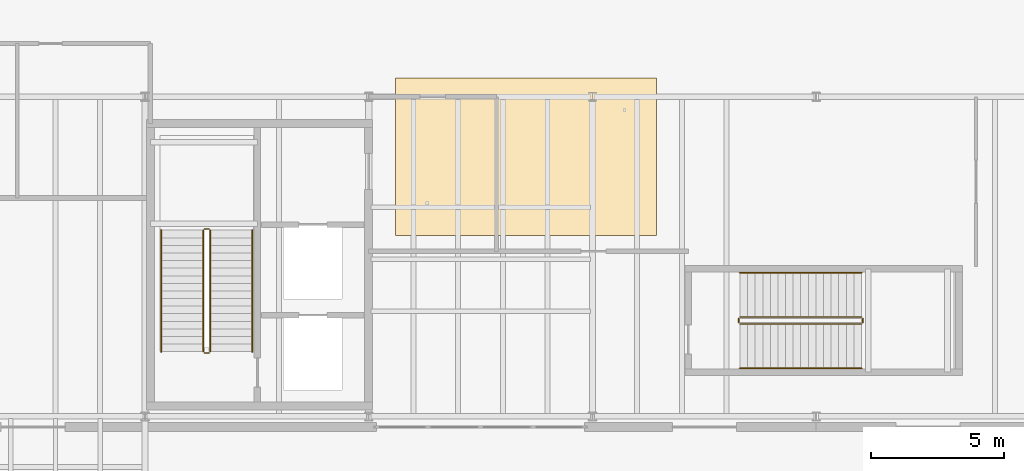
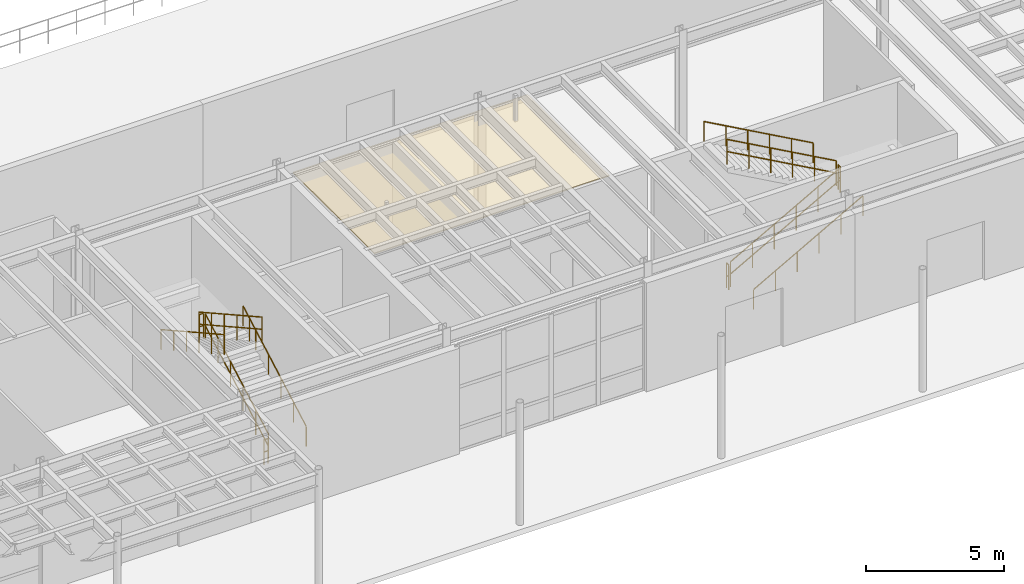
# One storey, part 82 of 87: 12 railings, 1 covering.
"""IFC4 building model written with IfcOpenShell, lengths in metres."""

import ifcopenshell
import ifcopenshell.guid

model = None  # the IFC model being written
_history = None  # IfcOwnerHistory: only IFC2X3 demands one
_inside = {}  # id of a spatial element -> (the spatial element, [elements in it])
_under = {}  # id of a project, library or spatial element -> (it, [spatial elements below it])
_declared = {}  # id of a project -> (the project, [libraries it declares])
_typed = {}  # id of a type object -> (the type object, [elements of that type])
_made_of = {}  # id of a material, layer set ... -> (it, [elements and type objects made of it])


def new_model(schema):
    """Start an empty IFC model of exactly this schema.

    Asked for "IFC4X3", IfcOpenShell would pick the latest addendum, in which some entities
    have other attributes; the version numbers below select the first issue.
    IFC2X3 requires an IfcOwnerHistory on every rooted entity: one is made here for all.
    """
    global model, _history
    if schema == "IFC4X3":
        model = ifcopenshell.file(schema_version=(4, 3, 0, 0))
    else:
        model = ifcopenshell.file(schema=schema)
    _inside.clear()
    _under.clear()
    _declared.clear()
    _typed.clear()
    _made_of.clear()
    _history = None
    if model.schema == "IFC2X3":
        org = make("IfcOrganization", Name="unknown")
        user = make(
            "IfcPersonAndOrganization",
            ThePerson=make("IfcPerson", FamilyName="unknown"),
            TheOrganization=org,
        )
        app = make(
            "IfcApplication",
            ApplicationDeveloper=org,
            Version="unknown",
            ApplicationFullName="unknown",
            ApplicationIdentifier="unknown",
        )
        _history = make(
            "IfcOwnerHistory",
            OwningUser=user,
            OwningApplication=app,
            ChangeAction="ADDED",
            CreationDate=0,
        )
    return model


def make(cls, **values):
    """One entity of the class cls with the attributes given. An attribute that is None is left unset."""
    return model.create_entity(
        cls, **{name: value for name, value in values.items() if value is not None}
    )


def rooted(cls, **values):
    """An entity with a GlobalId (a new one), such as an element, a storey or a relation."""
    return make(cls, GlobalId=ifcopenshell.guid.new(), OwnerHistory=_history, **values)


def si_unit(unit_type, name, prefix=None):
    """IfcSIUnit, for example si_unit("LENGTHUNIT", "METRE", prefix="MILLI")."""
    return make("IfcSIUnit", UnitType=unit_type, Prefix=prefix, Name=name)


def assignment(units):
    """IfcUnitAssignment: the units of a project."""
    return None if units is None else make("IfcUnitAssignment", Units=units)


def point(xyz):
    """IfcCartesianPoint."""
    return None if xyz is None else make("IfcCartesianPoint", Coordinates=xyz)


def direction(xyz):
    """IfcDirection."""
    return None if xyz is None else make("IfcDirection", DirectionRatios=xyz)


def frame(location, z_axis=None, x_axis=None):
    """IfcAxis2Placement3D, a coordinate frame: its origin and axes. An axis left out is left unset."""
    return make(
        "IfcAxis2Placement3D",
        Location=point(location),
        Axis=direction(z_axis),
        RefDirection=direction(x_axis),
    )


def frame_2d(location, x_axis=None):
    """IfcAxis2Placement2D, a coordinate frame in the plane: its origin and x axis."""
    return make(
        "IfcAxis2Placement2D", Location=point(location), RefDirection=direction(x_axis)
    )


def origin():
    """The frame at (0, 0, 0) with its axes left unset."""
    return frame((0.0, 0.0, 0.0))


def origin_2d():
    """The frame at (0, 0) in the plane with its x axis left unset."""
    return frame_2d((0.0, 0.0))


def place(relative_to, where):
    """IfcLocalPlacement: puts the frame where relative to a parent placement (None: the world)."""
    return make(
        "IfcLocalPlacement", PlacementRelTo=relative_to, RelativePlacement=where
    )


def context(
    kind, dimensions, precision=None, world=None, true_north=None, identifier=None
):
    """IfcGeometricRepresentationContext, for example the 3D "Model" context."""
    return make(
        "IfcGeometricRepresentationContext",
        ContextIdentifier=identifier,
        ContextType=kind,
        CoordinateSpaceDimension=dimensions,
        Precision=precision,
        WorldCoordinateSystem=world,
        TrueNorth=true_north,
    )


def subcontext(parent, identifier, kind, view, scale=None):
    """IfcGeometricRepresentationSubContext, for example "Body" below "Model"."""
    return make(
        "IfcGeometricRepresentationSubContext",
        ContextIdentifier=identifier,
        ContextType=kind,
        ParentContext=parent,
        TargetScale=scale,
        TargetView=view,
    )


def project(units=None, contexts=None):
    """IfcProject with its units and contexts."""
    return rooted(
        "IfcProject",
        Name="project",
        RepresentationContexts=contexts,
        UnitsInContext=assignment(units),
    )


def spatial(cls, under=None, at=None, **own):
    """A site, building, storey or space (cls), placed at a placement, below another one or the project."""
    s = rooted(cls, ObjectPlacement=at, **own)
    if under is not None:
        _under.setdefault(under.id(), (under, []))[1].append(s)
    return s


def polyline(points):
    """IfcPolyline through the points."""
    return make("IfcPolyline", Points=[point(p) for p in points])


def profile(cls, at=None, kind="AREA", **sizes):
    """A parametric profile (cls). Its sizes go by their IFC names, for example OverallWidth=200.0."""
    return make(cls, ProfileType=kind, Position=at, **sizes)


def circle(**sizes):
    """IfcCircleProfileDef."""
    return profile("IfcCircleProfileDef", **sizes)


def outline(outer, holes=None, kind="AREA"):
    """IfcArbitraryClosedProfileDef: a profile drawn as a closed curve; with holes, ...WithVoids."""
    if holes is None:
        return make("IfcArbitraryClosedProfileDef", ProfileType=kind, OuterCurve=outer)
    return make(
        "IfcArbitraryProfileDefWithVoids",
        ProfileType=kind,
        OuterCurve=outer,
        InnerCurves=holes,
    )


def extrude(swept, where, along, depth):
    """IfcExtrudedAreaSolid: the profile swept, set in the frame where, extruded along a direction by depth."""
    return make(
        "IfcExtrudedAreaSolid",
        SweptArea=swept,
        Position=where,
        ExtrudedDirection=direction(along),
        Depth=depth,
    )


def shape(context_of_items, identifier, shape_type, items):
    """IfcShapeRepresentation: the items that make up one representation, for example the "Body"."""
    return make(
        "IfcShapeRepresentation",
        ContextOfItems=context_of_items,
        RepresentationIdentifier=identifier,
        RepresentationType=shape_type,
        Items=items,
    )


def material(Name=None, Category=None):
    """IfcMaterial."""
    return make("IfcMaterial", Name=Name, Category=Category)


def layer(
    of_material, thickness, ventilated=None, Name=None, Category=None, Priority=None
):
    """IfcMaterialLayer: one layer of a wall or slab, of a material (None: an air gap)."""
    return make(
        "IfcMaterialLayer",
        Material=of_material,
        LayerThickness=thickness,
        IsVentilated=ventilated,
        Name=Name,
        Category=Category,
        Priority=Priority,
    )


def layer_set(layers, Name=None):
    """IfcMaterialLayerSet."""
    return make("IfcMaterialLayerSet", MaterialLayers=layers, LayerSetName=Name)


def made_of(thing, what):
    """Note that an element or type object is made of a material, layer set ...; save() writes the relation."""
    if what is not None:
        _made_of.setdefault(what.id(), (what, []))[1].append(thing)
    return thing


def type_object(cls, material=None, **own):
    """A type object (cls), such as IfcWallType, which elements share."""
    return made_of(rooted(cls, **own), material)


def element(
    cls,
    number,
    at=None,
    inside=None,
    cuts=None,
    type_object=None,
    material=None,
    context=None,
    identifier="Body",
    shape_type=None,
    held_by="IfcProductDefinitionShape",
    body=None,
    shapes=None,
    **own,
):
    """One element of the class cls, such as IfcWall. Its Tag is "e" and its number.

    at: its placement. inside: the storey or other place that contains it. cuts: it is an
    opening in that element (IfcRelVoidsElement). A single representation is given by context,
    identifier, shape_type and body (its items); several are given by shapes. held_by: the class
    of the entity that holds the representations. save() writes the other relations.
    """
    e = rooted(cls, Tag="e%d" % number, ObjectPlacement=at, **own)
    if body is not None:
        shapes = [shape(context, identifier, shape_type, body)]
    if shapes is not None:
        e.Representation = make(held_by, Representations=shapes)
    if inside is not None:
        _inside.setdefault(inside.id(), (inside, []))[1].append(e)
    if cuts is not None:
        rooted(
            "IfcRelVoidsElement", RelatingBuildingElement=cuts, RelatedOpeningElement=e
        )
    if type_object is not None:
        _typed.setdefault(type_object.id(), (type_object, []))[1].append(e)
    return made_of(e, material)


def aggregate(whole, parts):
    """IfcRelAggregates: a whole, such as a stair, and the parts it consists of."""
    return rooted("IfcRelAggregates", RelatingObject=whole, RelatedObjects=parts)


def save(model, path):
    """Write the relations noted so far, then the file.

    IfcRelAggregates (storeys below a building ...), IfcRelContainedInSpatialStructure (elements
    in a storey), IfcRelDefinesByType, IfcRelAssociatesMaterial and IfcRelDeclares: one each for
    every whole, place, type object, material and project.
    """
    for whole, parts in _under.values():
        aggregate(whole, parts)
    for where, things in _inside.values():
        rooted(
            "IfcRelContainedInSpatialStructure",
            RelatedElements=things,
            RelatingStructure=where,
        )
    for kind, things in _typed.values():
        rooted("IfcRelDefinesByType", RelatedObjects=things, RelatingType=kind)
    for what, things in _made_of.values():
        rooted("IfcRelAssociatesMaterial", RelatedObjects=things, RelatingMaterial=what)
    for by, libraries in _declared.values():
        rooted("IfcRelDeclares", RelatingContext=by, RelatedDefinitions=libraries)
    model.write(path)


model = new_model("IFC4")

# Units and contexts
model_context = context("Model", 3, precision=1e-05, world=origin(), true_north=direction((0.0, 1.0)))
body_context = subcontext(model_context, "Body", "Model", "MODEL_VIEW")
ifc_project = project(units=[si_unit("LENGTHUNIT", "METRE"), si_unit("AREAUNIT", "SQUARE_METRE"), si_unit("VOLUMEUNIT", "CUBIC_METRE"), si_unit("PLANEANGLEUNIT", "RADIAN"), si_unit("MASSUNIT", "GRAM", prefix="KILO")], contexts=[model_context])

# Site, building, storey
site_placement = place(None, origin())
site = spatial("IfcSite", under=ifc_project, at=site_placement, CompositionType="ELEMENT")
building_placement = place(site_placement, origin())
building = spatial("IfcBuilding", under=site, at=building_placement, Name="Selat Folded Stagehouse", CompositionType="ELEMENT")
storey_placement = place(building_placement, origin())
storey = spatial("IfcBuildingStorey", under=building, at=storey_placement, Name="L00", CompositionType="ELEMENT", Elevation=0.0)

# Covering
ifc_material_1 = material(Name="Acoustic perforated timber and mineral wool", Category="wood")
ifc_layer_1 = layer(ifc_material_1, 0.050048828125)
ifc_layer_set_1 = layer_set([ifc_layer_1], Name="Acoustic perforated timber and mineral wool")
covering_type = type_object("IfcCoveringType", Name="COV-CEIL-AC50", PredefinedType="CEILING", material=ifc_layer_set_1)
covering_placement = place(storey_placement, frame((0.0, 0.0, 4.10009765625)))
element("IfcCovering", 1, at=covering_placement, inside=storey, type_object=covering_type, Name="L00 suspended acoustic ceiling CLG-L00-CAF", PredefinedType="CEILING", context=body_context, shape_type="SweptSolid", body=[
    extrude(outline(polyline([(85.0, 12.60009765625), (94.800048828125, 12.60009765625), (94.800048828125, 18.5), (85.0, 18.5), (85.0, 12.60009765625)])), origin(), (0.0, 0.0, 1.0), 0.0498046875),
])

# Railings
ifc_material_2 = material(Name="Bronze-anodised steel balustrade", Category="steel")
ifc_layer_2 = layer(ifc_material_2, 0.06494140625)
ifc_layer_set_2 = layer_set([ifc_layer_2], Name="Bronze-anodised steel balustrade")
railing_type_1 = type_object("IfcRailingType", Name="RLG-BAL-1120", PredefinedType="BALUSTRADE", material=ifc_layer_set_2)
railing_1_placement = place(storey_placement, frame((78.050048828125, 8.22998046875, 0.158935546875)))
element("IfcRailing", 2, at=railing_1_placement, inside=storey, type_object=railing_type_1, Name="L00 ST-03 stair well guard 1", PredefinedType="BALUSTRADE", context=body_context, shape_type="SweptSolid", body=[
    extrude(circle(Radius=0.02392578125, at=origin_2d()), frame((0.0, 0.0, 1.09619140625), z_axis=(0.0, 0.873534455015, 0.486762319723), x_axis=(-1.0, 0.0, 0.0)), (0.0, 0.0, 1.0), 5.22021484375),
    extrude(circle(Radius=0.02392578125, at=origin_2d()), frame((0.0, 0.0, 0.56005859375), z_axis=(0.0, 0.873534455015, 0.486762319723), x_axis=(-1.0, 0.0, 0.0)), (0.0, 0.0, 1.0), 5.22021484375),
    extrude(circle(Radius=0.02099609375, at=origin_2d()), origin(), (0.0, 0.0, 1.0), 1.072021484375),
    extrude(circle(Radius=0.02099609375, at=origin_2d()), frame((0.0, 0.912109375, 0.50830078125)), (0.0, 0.0, 1.0), 1.072021484375),
    extrude(circle(Radius=0.02099609375, at=origin_2d()), frame((0.0, 1.823974609375, 1.016357421875)), (0.0, 0.0, 1.0), 1.072021484375),
    extrude(circle(Radius=0.02099609375, at=origin_2d()), frame((0.0, 2.736083984375, 1.524658203125)), (0.0, 0.0, 1.0), 1.072021484375),
    extrude(circle(Radius=0.02099609375, at=origin_2d()), frame((0.0, 3.64794921875, 2.03271484375)), (0.0, 0.0, 1.0), 1.072021484375),
    extrude(circle(Radius=0.02099609375, at=origin_2d()), frame((0.0, 4.56005859375, 2.541015625)), (0.0, 0.0, 1.0), 1.072021484375),
])
railing_2_placement = place(storey_placement, frame((78.0, 12.840087890625, 2.699951171875)))
element("IfcRailing", 3, at=railing_2_placement, inside=storey, type_object=railing_type_1, Name="L00 ST-03 stair well guard 2", PredefinedType="BALUSTRADE", context=body_context, shape_type="SweptSolid", body=[
    extrude(circle(Radius=0.02392578125, at=origin_2d()), frame((0.0, 0.0, 1.09619140625), z_axis=(-1.0, 0.0, 0.0), x_axis=(0.0, -1.0, 0.0)), (0.0, 0.0, 1.0), 0.159912109375),
    extrude(circle(Radius=0.02392578125, at=origin_2d()), frame((0.0, 0.0, 0.56005859375), z_axis=(-1.0, 0.0, 0.0), x_axis=(0.0, -1.0, 0.0)), (0.0, 0.0, 1.0), 0.159912109375),
    extrude(circle(Radius=0.02099609375, at=origin_2d()), origin(), (0.0, 0.0, 1.0), 1.072021484375),
    extrude(circle(Radius=0.02099609375, at=origin_2d()), frame((-0.159912109375, 0.0, 0.0)), (0.0, 0.0, 1.0), 1.072021484375),
])
railing_3_placement = place(storey_placement, frame((77.7900390625, 12.7900390625, 2.85888671875)))
element("IfcRailing", 4, at=railing_3_placement, inside=storey, type_object=railing_type_1, Name="L00 ST-03 stair well guard 3", PredefinedType="BALUSTRADE", context=body_context, shape_type="SweptSolid", body=[
    extrude(circle(Radius=0.02392578125, at=origin_2d()), frame((0.0, 0.0, 1.09619140625), z_axis=(0.0, -0.873534455015, 0.486762319723), x_axis=(1.0, 0.0, 0.0)), (0.0, 0.0, 1.0), 5.22021484375),
    extrude(circle(Radius=0.02392578125, at=origin_2d()), frame((0.0, 0.0, 0.56005859375), z_axis=(0.0, -0.873534455015, 0.486762319723), x_axis=(1.0, 0.0, 0.0)), (0.0, 0.0, 1.0), 5.22021484375),
    extrude(circle(Radius=0.02099609375, at=origin_2d()), origin(), (0.0, 0.0, 1.0), 1.072021484375),
    extrude(circle(Radius=0.02099609375, at=origin_2d()), frame((0.0, -0.912109375, 0.50830078125)), (0.0, 0.0, 1.0), 1.072021484375),
    extrude(circle(Radius=0.02099609375, at=origin_2d()), frame((0.0, -1.823974609375, 1.016357421875)), (0.0, 0.0, 1.0), 1.072021484375),
    extrude(circle(Radius=0.02099609375, at=origin_2d()), frame((0.0, -2.736083984375, 1.524658203125)), (0.0, 0.0, 1.0), 1.072021484375),
    extrude(circle(Radius=0.02099609375, at=origin_2d()), frame((0.0, -3.64794921875, 2.03271484375)), (0.0, 0.0, 1.0), 1.072021484375),
    extrude(circle(Radius=0.02099609375, at=origin_2d()), frame((0.0, -4.56005859375, 2.541015625)), (0.0, 0.0, 1.0), 1.072021484375),
])
railing_4_placement = place(storey_placement, frame((78.0, 8.179931640625, 0.0)))
element("IfcRailing", 5, at=railing_4_placement, inside=storey, type_object=railing_type_1, Name="L00 ST-03 stair well guard 4", PredefinedType="BALUSTRADE", context=body_context, shape_type="SweptSolid", body=[
    extrude(circle(Radius=0.02392578125, at=origin_2d()), frame((0.0, 0.0, 1.09619140625), z_axis=(-1.0, 0.0, 0.0), x_axis=(0.0, -1.0, 0.0)), (0.0, 0.0, 1.0), 0.159912109375),
    extrude(circle(Radius=0.02392578125, at=origin_2d()), frame((0.0, 0.0, 0.56005859375), z_axis=(-1.0, 0.0, 0.0), x_axis=(0.0, -1.0, 0.0)), (0.0, 0.0, 1.0), 0.159912109375),
    extrude(circle(Radius=0.02099609375, at=origin_2d()), origin(), (0.0, 0.0, 1.0), 1.072021484375),
    extrude(circle(Radius=0.02099609375, at=origin_2d()), frame((-0.159912109375, 0.0, 0.0)), (0.0, 0.0, 1.0), 1.072021484375),
])
railing_5_placement = place(storey_placement, frame((97.93994140625, 9.27001953125, 0.158935546875)))
element("IfcRailing", 6, at=railing_5_placement, inside=storey, type_object=railing_type_1, Name="L00 ST-08 stair well guard 1", PredefinedType="BALUSTRADE", context=body_context, shape_type="SweptSolid", body=[
    extrude(circle(Radius=0.02392578125, at=origin_2d()), frame((0.0, 0.0, 1.09619140625), z_axis=(0.873534455015, 0.0, 0.486762319723), x_axis=(0.0, 1.0, 0.0)), (0.0, 0.0, 1.0), 5.22021484375),
    extrude(circle(Radius=0.02392578125, at=origin_2d()), frame((0.0, 0.0, 0.56005859375), z_axis=(0.873534455015, 0.0, 0.486762319723), x_axis=(0.0, 1.0, 0.0)), (0.0, 0.0, 1.0), 5.22021484375),
    extrude(circle(Radius=0.02099609375, at=origin_2d()), origin(), (0.0, 0.0, 1.0), 1.072021484375),
    extrude(circle(Radius=0.02099609375, at=origin_2d()), frame((0.912109375, 0.0, 0.50830078125)), (0.0, 0.0, 1.0), 1.072021484375),
    extrude(circle(Radius=0.02099609375, at=origin_2d()), frame((1.823974609375, 0.0, 1.016357421875)), (0.0, 0.0, 1.0), 1.072021484375),
    extrude(circle(Radius=0.02099609375, at=origin_2d()), frame((2.736083984375, 0.0, 1.524658203125)), (0.0, 0.0, 1.0), 1.072021484375),
    extrude(circle(Radius=0.02099609375, at=origin_2d()), frame((3.64794921875, 0.0, 2.03271484375)), (0.0, 0.0, 1.0), 1.072021484375),
    extrude(circle(Radius=0.02099609375, at=origin_2d()), frame((4.56005859375, 0.0, 2.541015625)), (0.0, 0.0, 1.0), 1.072021484375),
])
railing_6_placement = place(storey_placement, frame((102.550048828125, 9.320068359375, 2.699951171875)))
element("IfcRailing", 7, at=railing_6_placement, inside=storey, type_object=railing_type_1, Name="L00 ST-08 stair well guard 2", PredefinedType="BALUSTRADE", context=body_context, shape_type="SweptSolid", body=[
    extrude(circle(Radius=0.02392578125, at=origin_2d()), frame((0.0, 0.0, 1.09619140625), z_axis=(0.0, 1.0, 0.0), x_axis=(-1.0, 0.0, 0.0)), (0.0, 0.0, 1.0), 0.159912109375),
    extrude(circle(Radius=0.02392578125, at=origin_2d()), frame((0.0, 0.0, 0.56005859375), z_axis=(0.0, 1.0, 0.0), x_axis=(-1.0, 0.0, 0.0)), (0.0, 0.0, 1.0), 0.159912109375),
    extrude(circle(Radius=0.02099609375, at=origin_2d()), origin(), (0.0, 0.0, 1.0), 1.072021484375),
    extrude(circle(Radius=0.02099609375, at=origin_2d()), frame((0.0, 0.159912109375, 0.0)), (0.0, 0.0, 1.0), 1.072021484375),
])
railing_7_placement = place(storey_placement, frame((102.5, 9.530029296875, 2.85888671875)))
element("IfcRailing", 8, at=railing_7_placement, inside=storey, type_object=railing_type_1, Name="L00 ST-08 stair well guard 3", PredefinedType="BALUSTRADE", context=body_context, shape_type="SweptSolid", body=[
    extrude(circle(Radius=0.02392578125, at=origin_2d()), frame((0.0, 0.0, 1.09619140625), z_axis=(-0.873534455015, 0.0, 0.486762319723), x_axis=(0.0, -1.0, 0.0)), (0.0, 0.0, 1.0), 5.22021484375),
    extrude(circle(Radius=0.02392578125, at=origin_2d()), frame((0.0, 0.0, 0.56005859375), z_axis=(-0.873534455015, 0.0, 0.486762319723), x_axis=(0.0, -1.0, 0.0)), (0.0, 0.0, 1.0), 5.22021484375),
    extrude(circle(Radius=0.02099609375, at=origin_2d()), origin(), (0.0, 0.0, 1.0), 1.072021484375),
    extrude(circle(Radius=0.02099609375, at=origin_2d()), frame((-0.912109375, 0.0, 0.50830078125)), (0.0, 0.0, 1.0), 1.072021484375),
    extrude(circle(Radius=0.02099609375, at=origin_2d()), frame((-1.823974609375, 0.0, 1.016357421875)), (0.0, 0.0, 1.0), 1.072021484375),
    extrude(circle(Radius=0.02099609375, at=origin_2d()), frame((-2.736083984375, 0.0, 1.524658203125)), (0.0, 0.0, 1.0), 1.072021484375),
    extrude(circle(Radius=0.02099609375, at=origin_2d()), frame((-3.64794921875, 0.0, 2.03271484375)), (0.0, 0.0, 1.0), 1.072021484375),
    extrude(circle(Radius=0.02099609375, at=origin_2d()), frame((-4.56005859375, 0.0, 2.541015625)), (0.0, 0.0, 1.0), 1.072021484375),
])
railing_8_placement = place(storey_placement, frame((97.889892578125, 9.320068359375, 0.0)))
element("IfcRailing", 9, at=railing_8_placement, inside=storey, type_object=railing_type_1, Name="L00 ST-08 stair well guard 4", PredefinedType="BALUSTRADE", context=body_context, shape_type="SweptSolid", body=[
    extrude(circle(Radius=0.02392578125, at=origin_2d()), frame((0.0, 0.0, 1.09619140625), z_axis=(0.0, 1.0, 0.0), x_axis=(-1.0, 0.0, 0.0)), (0.0, 0.0, 1.0), 0.159912109375),
    extrude(circle(Radius=0.02392578125, at=origin_2d()), frame((0.0, 0.0, 0.56005859375), z_axis=(0.0, 1.0, 0.0), x_axis=(-1.0, 0.0, 0.0)), (0.0, 0.0, 1.0), 0.159912109375),
    extrude(circle(Radius=0.02099609375, at=origin_2d()), origin(), (0.0, 0.0, 1.0), 1.072021484375),
    extrude(circle(Radius=0.02099609375, at=origin_2d()), frame((0.0, 0.159912109375, 0.0)), (0.0, 0.0, 1.0), 1.072021484375),
])
ifc_material_3 = material(Name="Brushed stainless steel 1.4301", Category="steel")
ifc_layer_3 = layer(ifc_material_3, 0.048095703125)
ifc_layer_set_3 = layer_set([ifc_layer_3], Name="Brushed stainless steel 1.4301")
railing_type_2 = type_object("IfcRailingType", Name="RLG-HANDRAIL-900", PredefinedType="HANDRAIL", material=ifc_layer_set_3)
railing_9_placement = place(storey_placement, frame((79.6298828125, 8.22998046875, 0.158935546875)))
element("IfcRailing", 10, at=railing_9_placement, inside=storey, type_object=railing_type_2, Name="L00 ST-03 wall handrail 1", PredefinedType="HANDRAIL", context=body_context, shape_type="SweptSolid", body=[
    extrude(circle(Radius=0.02392578125, at=origin_2d()), frame((0.0, 0.0, 0.8759765625), z_axis=(0.0, 0.873534455015, 0.486762319723), x_axis=(-1.0, 0.0, 0.0)), (0.0, 0.0, 1.0), 5.22021484375),
    extrude(circle(Radius=0.02099609375, at=origin_2d()), origin(), (0.0, 0.0, 1.0), 0.851806640625),
    extrude(circle(Radius=0.02099609375, at=origin_2d()), frame((0.0, 0.912109375, 0.50830078125)), (0.0, 0.0, 1.0), 0.851806640625),
    extrude(circle(Radius=0.02099609375, at=origin_2d()), frame((0.0, 1.823974609375, 1.016357421875)), (0.0, 0.0, 1.0), 0.851806640625),
    extrude(circle(Radius=0.02099609375, at=origin_2d()), frame((0.0, 2.736083984375, 1.524658203125)), (0.0, 0.0, 1.0), 0.851806640625),
    extrude(circle(Radius=0.02099609375, at=origin_2d()), frame((0.0, 3.64794921875, 2.03271484375)), (0.0, 0.0, 1.0), 0.851806640625),
    extrude(circle(Radius=0.02099609375, at=origin_2d()), frame((0.0, 4.56005859375, 2.541015625)), (0.0, 0.0, 1.0), 0.851806640625),
])
railing_10_placement = place(storey_placement, frame((76.2099609375, 12.7900390625, 2.85888671875)))
element("IfcRailing", 11, at=railing_10_placement, inside=storey, type_object=railing_type_2, Name="L00 ST-03 wall handrail 2", PredefinedType="HANDRAIL", context=body_context, shape_type="SweptSolid", body=[
    extrude(circle(Radius=0.02392578125, at=origin_2d()), frame((0.0, 0.0, 0.8759765625), z_axis=(0.0, -0.873534455015, 0.486762319723), x_axis=(1.0, 0.0, 0.0)), (0.0, 0.0, 1.0), 5.22021484375),
    extrude(circle(Radius=0.02099609375, at=origin_2d()), origin(), (0.0, 0.0, 1.0), 0.851806640625),
    extrude(circle(Radius=0.02099609375, at=origin_2d()), frame((0.0, -0.912109375, 0.50830078125)), (0.0, 0.0, 1.0), 0.851806640625),
    extrude(circle(Radius=0.02099609375, at=origin_2d()), frame((0.0, -1.823974609375, 1.016357421875)), (0.0, 0.0, 1.0), 0.851806640625),
    extrude(circle(Radius=0.02099609375, at=origin_2d()), frame((0.0, -2.736083984375, 1.524658203125)), (0.0, 0.0, 1.0), 0.851806640625),
    extrude(circle(Radius=0.02099609375, at=origin_2d()), frame((0.0, -3.64794921875, 2.03271484375)), (0.0, 0.0, 1.0), 0.851806640625),
    extrude(circle(Radius=0.02099609375, at=origin_2d()), frame((0.0, -4.56005859375, 2.541015625)), (0.0, 0.0, 1.0), 0.851806640625),
])
railing_11_placement = place(storey_placement, frame((97.93994140625, 7.610107421875, 0.158935546875)))
element("IfcRailing", 12, at=railing_11_placement, inside=storey, type_object=railing_type_2, Name="L00 ST-08 wall handrail 1", PredefinedType="HANDRAIL", context=body_context, shape_type="SweptSolid", body=[
    extrude(circle(Radius=0.02392578125, at=origin_2d()), frame((0.0, 0.0, 0.8759765625), z_axis=(0.873534455015, 0.0, 0.486762319723), x_axis=(0.0, 1.0, 0.0)), (0.0, 0.0, 1.0), 5.22021484375),
    extrude(circle(Radius=0.02099609375, at=origin_2d()), origin(), (0.0, 0.0, 1.0), 0.851806640625),
    extrude(circle(Radius=0.02099609375, at=origin_2d()), frame((0.912109375, 0.0, 0.50830078125)), (0.0, 0.0, 1.0), 0.851806640625),
    extrude(circle(Radius=0.02099609375, at=origin_2d()), frame((1.823974609375, 0.0, 1.016357421875)), (0.0, 0.0, 1.0), 0.851806640625),
    extrude(circle(Radius=0.02099609375, at=origin_2d()), frame((2.736083984375, 0.0, 1.524658203125)), (0.0, 0.0, 1.0), 0.851806640625),
    extrude(circle(Radius=0.02099609375, at=origin_2d()), frame((3.64794921875, 0.0, 2.03271484375)), (0.0, 0.0, 1.0), 0.851806640625),
    extrude(circle(Radius=0.02099609375, at=origin_2d()), frame((4.56005859375, 0.0, 2.541015625)), (0.0, 0.0, 1.0), 0.851806640625),
])
railing_12_placement = place(storey_placement, frame((102.5, 11.18994140625, 2.85888671875)))
element("IfcRailing", 13, at=railing_12_placement, inside=storey, type_object=railing_type_2, Name="L00 ST-08 wall handrail 2", PredefinedType="HANDRAIL", context=body_context, shape_type="SweptSolid", body=[
    extrude(circle(Radius=0.02392578125, at=origin_2d()), frame((0.0, 0.0, 0.8759765625), z_axis=(-0.873534455015, 0.0, 0.486762319723), x_axis=(0.0, -1.0, 0.0)), (0.0, 0.0, 1.0), 5.22021484375),
    extrude(circle(Radius=0.02099609375, at=origin_2d()), origin(), (0.0, 0.0, 1.0), 0.851806640625),
    extrude(circle(Radius=0.02099609375, at=origin_2d()), frame((-0.912109375, 0.0, 0.50830078125)), (0.0, 0.0, 1.0), 0.851806640625),
    extrude(circle(Radius=0.02099609375, at=origin_2d()), frame((-1.823974609375, 0.0, 1.016357421875)), (0.0, 0.0, 1.0), 0.851806640625),
    extrude(circle(Radius=0.02099609375, at=origin_2d()), frame((-2.736083984375, 0.0, 1.524658203125)), (0.0, 0.0, 1.0), 0.851806640625),
    extrude(circle(Radius=0.02099609375, at=origin_2d()), frame((-3.64794921875, 0.0, 2.03271484375)), (0.0, 0.0, 1.0), 0.851806640625),
    extrude(circle(Radius=0.02099609375, at=origin_2d()), frame((-4.56005859375, 0.0, 2.541015625)), (0.0, 0.0, 1.0), 0.851806640625),
])

save(model, "model.ifc")
